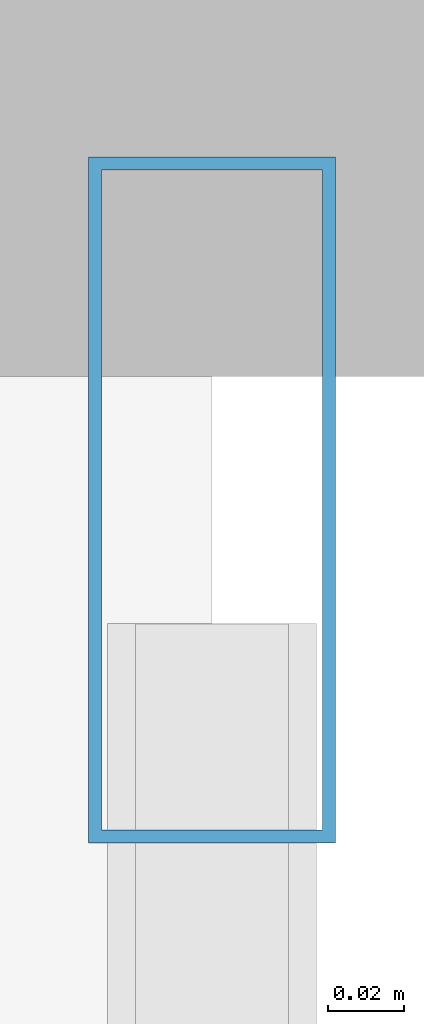
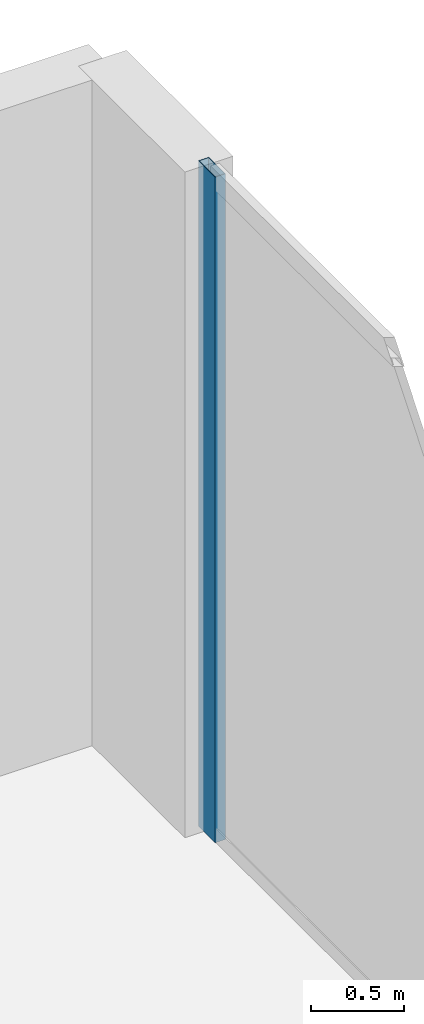
# One storey, part 22 of 33: 1 member, 1 element without a shape of its own.
"""IFC4 building model written with IfcOpenShell, lengths in metres."""

from ifc_helpers import new_model, si_unit, direction, frame, origin, origin_2d, place, context, subcontext, project, spatial, hollow_rectangle, extrude, material, layer, layer_set, material_profile, profile_set, type_object, element, aggregate, save


model = new_model("IFC4")

# Units and contexts
model_context = context("Model", 3, precision=1e-05, world=origin(), true_north=direction((0.0, 1.0)))
body_context = subcontext(model_context, "Body", "Model", "MODEL_VIEW")
ifc_project = project(units=[si_unit("LENGTHUNIT", "METRE"), si_unit("AREAUNIT", "SQUARE_METRE"), si_unit("VOLUMEUNIT", "CUBIC_METRE"), si_unit("PLANEANGLEUNIT", "RADIAN"), si_unit("MASSUNIT", "GRAM", prefix="KILO")], contexts=[model_context])

# Site, building, storey
site_placement = place(None, origin())
site = spatial("IfcSite", under=ifc_project, at=site_placement, CompositionType="ELEMENT")
building_placement = place(site_placement, origin())
building = spatial("IfcBuilding", under=site, at=building_placement, Name="Zuhayl Quay Hotel", CompositionType="ELEMENT")
storey_placement = place(building_placement, frame((0.0, 0.0, 168.199951171875)))
storey = spatial("IfcBuildingStorey", under=building, at=storey_placement, Name="L42", CompositionType="ELEMENT", Elevation=168.199951171875)

# Curtain wall, member
ifc_material_1 = material(Name="Anodised Aluminium 6063-T6", Category="aluminium")
ifc_layer = layer(ifc_material_1, 0.175048828125, Name="Anodised Aluminium 6063-T6", Category="aluminium")
ifc_layer_set = layer_set([ifc_layer], Name="Anodised Aluminium 6063-T6")
curtain_wall_type = type_object("IfcCurtainWallType", Name="CW_SYS_Z3", PredefinedType="USERDEFINED", material=ifc_layer_set)
curtain_wall_placement = place(storey_placement, origin())
curtain_wall = element("IfcCurtainWall", 1, at=curtain_wall_placement, inside=storey, type_object=curtain_wall_type, Name="L42 Curtain Wall ENV_L42_E11_CW1", ObjectType="UNITISED CURTAIN WALL", PredefinedType="USERDEFINED")
ifc_material_2 = material(Name="Black-anodised aluminium 6063-T6", Category="aluminium")
ifc_material_profile = material_profile(ifc_material_2, hollow_rectangle(XDim=0.06494140625, YDim=0.179931640625, WallThickness=0.00341796875, at=origin_2d()), Name="ALU180X65")
ifc_profile_set = profile_set([ifc_material_profile], Name="Black-anodised aluminium 6063-T6")
member_type = type_object("IfcMemberType", Name="MB_CW_MUL_180", PredefinedType="MULLION", material=ifc_profile_set)
member_placement = place(storey_placement, frame((22.10009765625, 29.017578125, 0.0), z_axis=(0.0, 0.0, 1.0), x_axis=(1.0, 0.0, 0.0)))
member = element("IfcMember", 2, at=member_placement, type_object=member_type, Name="CW-Z3 mullion 1", PredefinedType="MULLION", context=body_context, shape_type="SweptSolid", body=[
    extrude(hollow_rectangle(XDim=0.06494140625, YDim=0.179931640625, WallThickness=0.00341796875, at=origin_2d()), origin(), (0.0, 0.0, 1.0), 4.380126953125),
])
aggregate(curtain_wall, [member])

save(model, "model.ifc")
